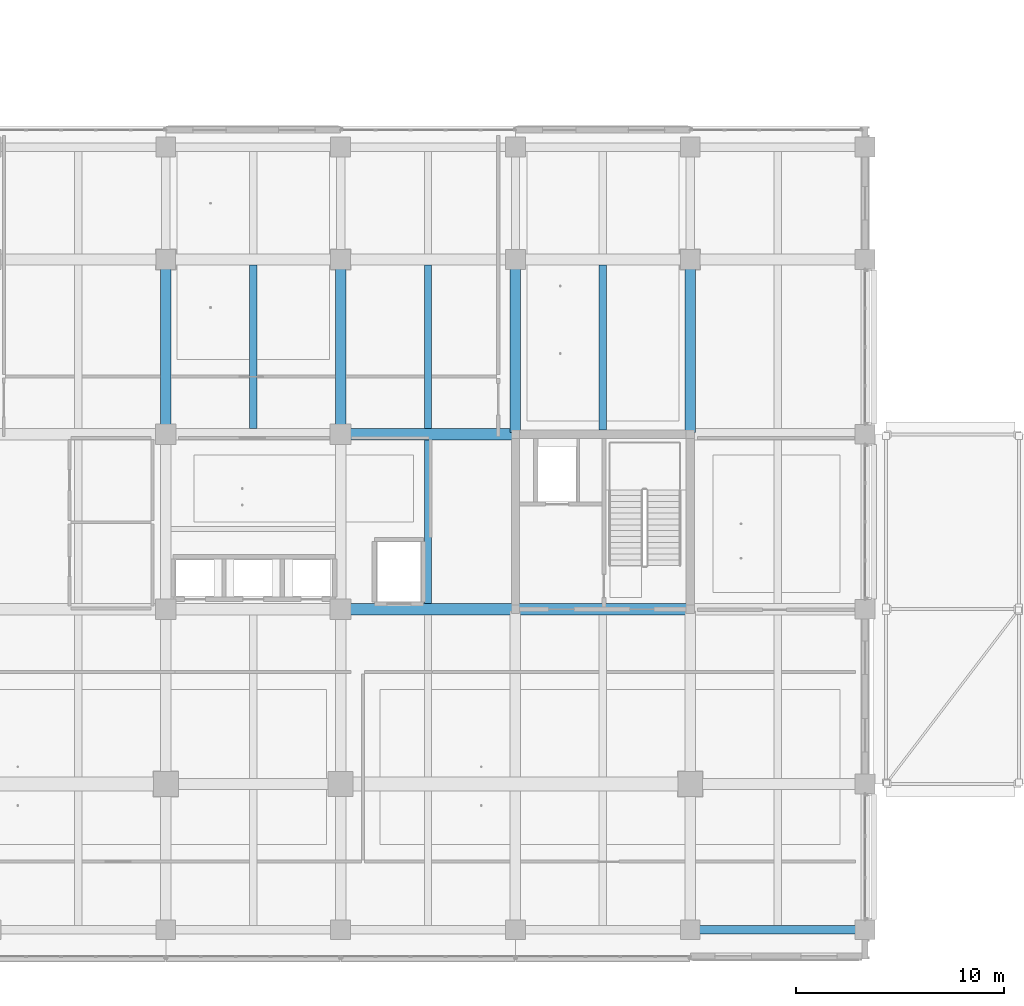
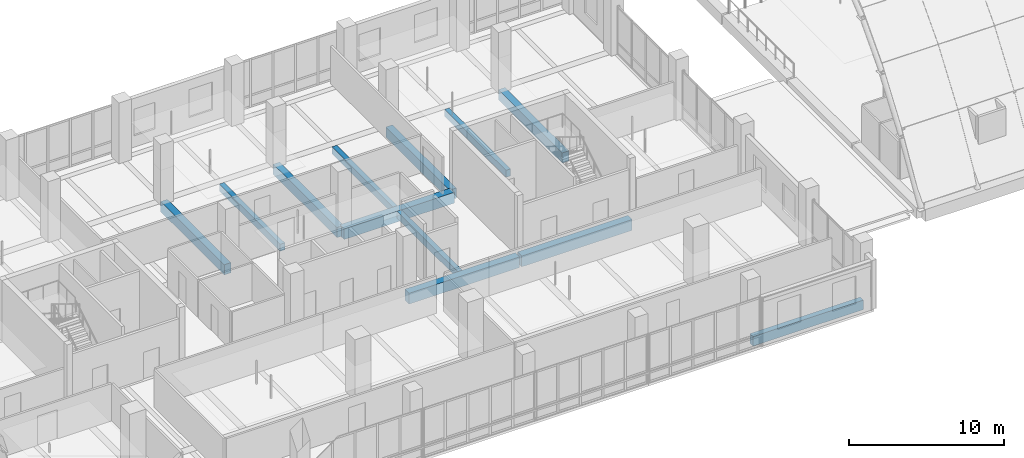
# One storey, part 21 of 128: 12 beams.
"""IFC4 building model written with IfcOpenShell, lengths in metres."""

from ifc_helpers import new_model, si_unit, direction, frame, origin, origin_2d, place, context, subcontext, project, spatial, rectangle, extrude, material, material_profile, profile_set, type_object, element, save


model = new_model("IFC4")

# Units and contexts
model_context = context("Model", 3, precision=1e-05, world=origin(), true_north=direction((0.0, 1.0)))
body_context = subcontext(model_context, "Body", "Model", "MODEL_VIEW")
ifc_project = project(units=[si_unit("LENGTHUNIT", "METRE"), si_unit("AREAUNIT", "SQUARE_METRE"), si_unit("VOLUMEUNIT", "CUBIC_METRE"), si_unit("PLANEANGLEUNIT", "RADIAN"), si_unit("MASSUNIT", "GRAM", prefix="KILO")], contexts=[model_context])

# Site, building, storey
site_placement = place(None, origin())
site = spatial("IfcSite", under=ifc_project, at=site_placement, CompositionType="ELEMENT")
building_placement = place(site_placement, origin())
building = spatial("IfcBuilding", under=site, at=building_placement, Name="Telukmera Botanical Conservatory", CompositionType="ELEMENT")
storey_placement = place(building_placement, frame((0.0, 0.0, 5.39990234375)))
storey = spatial("IfcBuildingStorey", under=building, at=storey_placement, Name="L01", CompositionType="ELEMENT", Elevation=5.39990234375)

# Beams
ifc_material_1 = material(Name="Concrete C40/50", Category="concrete")
ifc_material_profile_1 = material_profile(ifc_material_1, rectangle(XDim=0.35009765625, YDim=0.550048828125, at=origin_2d()), Name="RC 350x550")
ifc_profile_set_1 = profile_set([ifc_material_profile_1], Name="Concrete C40/50")
beam_type_1 = type_object("IfcBeamType", Name="Beam_B21", PredefinedType="JOIST", material=ifc_profile_set_1)
beam_1_placement = place(storey_placement, frame((79.800048828125, 34.675048828125, -0.27490234375), z_axis=(0.0, 1.0, 0.0), x_axis=(-1.0, 0.0, 0.0)))
element("IfcBeam", 1, at=beam_1_placement, inside=storey, type_object=beam_type_1, Name="Tower Secondary Floor Joist L01", PredefinedType="JOIST", context=body_context, shape_type="SweptSolid", body=[
    extrude(rectangle(XDim=0.35009765625, YDim=0.550048828125, at=origin_2d()), origin(), (0.0, 0.0, 1.0), 7.849853515625),
])
beam_2_placement = place(storey_placement, frame((88.199951171875, 26.27490234375, -0.27490234375), z_axis=(0.0, 1.0, 0.0), x_axis=(-1.0, 0.0, 0.0)))
element("IfcBeam", 2, at=beam_2_placement, inside=storey, type_object=beam_type_1, Name="Tower Secondary Floor Joist L01", PredefinedType="JOIST", context=body_context, shape_type="SweptSolid", body=[
    extrude(rectangle(XDim=0.35009765625, YDim=0.550048828125, at=origin_2d()), origin(), (0.0, 0.0, 1.0), 7.85009765625),
])
beam_3_placement = place(storey_placement, frame((88.199951171875, 34.675048828125, -0.27490234375), z_axis=(0.0, 1.0, 0.0), x_axis=(-1.0, 0.0, 0.0)))
element("IfcBeam", 3, at=beam_3_placement, inside=storey, type_object=beam_type_1, Name="Tower Secondary Floor Joist L01", PredefinedType="JOIST", context=body_context, shape_type="SweptSolid", body=[
    extrude(rectangle(XDim=0.35009765625, YDim=0.550048828125, at=origin_2d()), origin(), (0.0, 0.0, 1.0), 7.849853515625),
])
beam_4_placement = place(storey_placement, frame((96.60009765625, 34.60009765625, -0.27490234375), z_axis=(0.0, 1.0, 0.0), x_axis=(-1.0, 0.0, 0.0)))
element("IfcBeam", 4, at=beam_4_placement, inside=storey, type_object=beam_type_1, Name="Tower Secondary Floor Joist L01", PredefinedType="JOIST", context=body_context, shape_type="SweptSolid", body=[
    extrude(rectangle(XDim=0.35009765625, YDim=0.550048828125, at=origin_2d()), origin(), (0.0, 0.0, 1.0), 7.9248046875),
])
ifc_material_profile_2 = material_profile(ifc_material_1, rectangle(XDim=0.550048828125, YDim=0.85009765625, at=origin_2d()), Name="RC 550x850")
ifc_profile_set_2 = profile_set([ifc_material_profile_2], Name="Concrete C40/50")
beam_type_2 = type_object("IfcBeamType", Name="Beam_B4", PredefinedType="BEAM", material=ifc_profile_set_2)
for number, where, z_axis, x_axis, name in (
    (5, (84.080078125, 26.0, -0.4248046875), (1.0, 0.0, 0.0), (0.0, 1.0, 0.0), "Tower Grid Beam L01"),
    (6, (92.47998046875, 26.0, -0.4248046875), (1.0, 0.0, 0.0), (0.0, 1.0, 0.0), "Tower Grid Beam L01"),
    (7, (84.080078125, 34.39990234375, -0.4248046875), (1.0, 0.0, 0.0), (0.0, 1.0, 0.0), "Tower Grid Beam L01"),
):
    element("IfcBeam", number, at=place(storey_placement, frame(where, z_axis=z_axis, x_axis=x_axis)), inside=storey, type_object=beam_type_2, Name=name, PredefinedType="BEAM", context=body_context, shape_type="SweptSolid", body=[
        extrude(rectangle(XDim=0.550048828125, YDim=0.85009765625, at=origin_2d()), origin(), (0.0, 0.0, 1.0), 8.239990234375),
    ])
ifc_material_profile_3 = material_profile(ifc_material_1, rectangle(XDim=0.5, YDim=0.800048828125, at=origin_2d()), Name="RC 500x800")
ifc_profile_set_3 = profile_set([ifc_material_profile_3], Name="Concrete C40/50")
beam_type_3 = type_object("IfcBeamType", Name="Beam_B5", PredefinedType="BEAM", material=ifc_profile_set_3)
for number, where, z_axis, x_axis, name in (
    (8, (75.60009765625, 34.47998046875, -0.39990234375), (0.0, 1.0, 0.0), (-1.0, 0.0, 0.0), "Tower Transverse Beam L01"),
    (9, (84.0, 34.47998046875, -0.39990234375), (0.0, 1.0, 0.0), (-1.0, 0.0, 0.0), "Tower Transverse Beam L01"),
    (10, (92.39990234375, 34.47998046875, -0.39990234375), (0.0, 1.0, 0.0), (-1.0, 0.0, 0.0), "Tower Transverse Beam L01"),
    (11, (100.800048828125, 34.47998046875, -0.39990234375), (0.0, 1.0, 0.0), (-1.0, 0.0, 0.0), "Tower Transverse Beam L01"),
):
    element("IfcBeam", number, at=place(storey_placement, frame(where, z_axis=z_axis, x_axis=x_axis)), inside=storey, type_object=beam_type_3, Name=name, PredefinedType="BEAM", context=body_context, shape_type="SweptSolid", body=[
        extrude(rectangle(XDim=0.5, YDim=0.800048828125, at=origin_2d()), origin(), (0.0, 0.0, 1.0), 8.239990234375),
    ])
ifc_material_2 = material(Name="Precast concrete C40/50", Category="concrete")
ifc_material_profile_4 = material_profile(ifc_material_2, rectangle(XDim=0.39990234375, YDim=0.75, at=origin_2d()), Name="PC 400x750")
ifc_profile_set_4 = profile_set([ifc_material_profile_4], Name="Precast concrete C40/50")
beam_type_4 = type_object("IfcBeamType", Name="Beam_SP1", PredefinedType="SPANDREL", material=ifc_profile_set_4)
beam_5_placement = place(storey_placement, frame((100.8798828125, 10.60009765625, -0.375), z_axis=(1.0, 0.0, 0.0), x_axis=(0.0, 1.0, 0.0)))
element("IfcBeam", 12, at=beam_5_placement, inside=storey, type_object=beam_type_4, Name="Tower Grid Beam L01", PredefinedType="SPANDREL", context=body_context, shape_type="SweptSolid", body=[
    extrude(rectangle(XDim=0.39990234375, YDim=0.75, at=origin_2d()), origin(), (0.0, 0.0, 1.0), 8.240234375),
])

save(model, "model.ifc")
